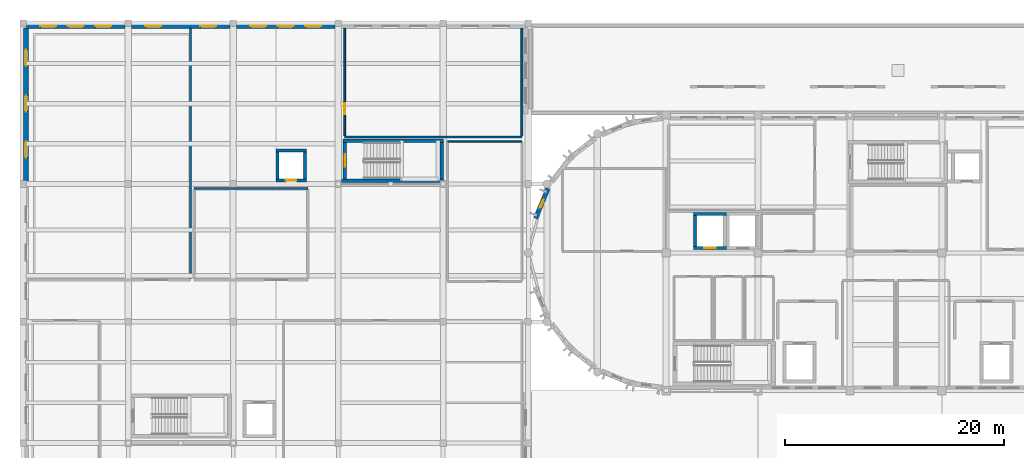
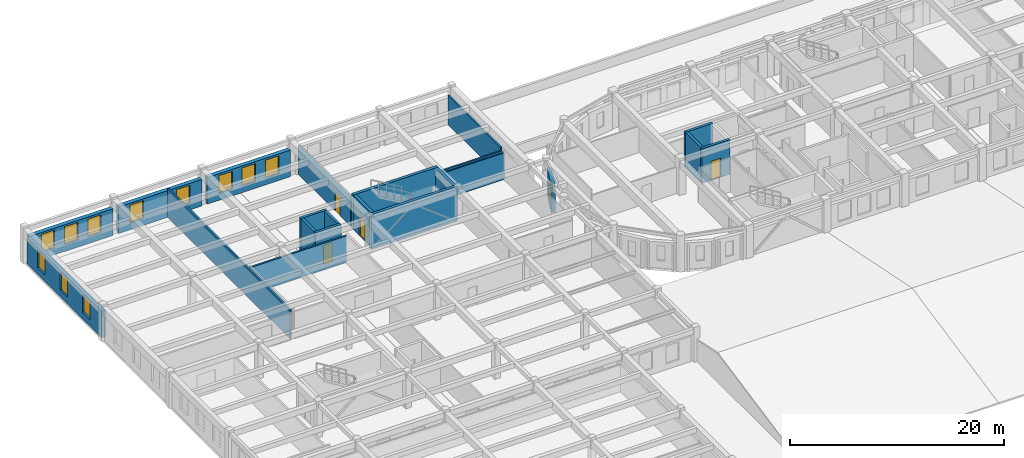
# One storey, part 20 of 46: 22 walls, 12 windows, 4 doors, 16 openings.
"""IFC4 building model written with IfcOpenShell, lengths in metres."""

from ifc_helpers import new_model, si_unit, direction, frame, frame_2d, origin, place, context, subcontext, project, spatial, rectangle, extrude, material, layer, layer_set, type_object, element, fill, save


model = new_model("IFC4")

# Units and contexts
model_context = context("Model", 3, precision=1e-05, world=origin(), true_north=direction((0.0, 1.0)))
body_context = subcontext(model_context, "Body", "Model", "MODEL_VIEW")
ifc_project = project(units=[si_unit("LENGTHUNIT", "METRE"), si_unit("AREAUNIT", "SQUARE_METRE"), si_unit("VOLUMEUNIT", "CUBIC_METRE"), si_unit("PLANEANGLEUNIT", "RADIAN"), si_unit("MASSUNIT", "GRAM", prefix="KILO")], contexts=[model_context])

# Site, building, storey
site_placement = place(None, origin())
site = spatial("IfcSite", under=ifc_project, at=site_placement, CompositionType="ELEMENT")
building_placement = place(site_placement, origin())
building = spatial("IfcBuilding", under=site, at=building_placement, Name="Tarnavel Promenade Courthouse", CompositionType="ELEMENT")
storey_placement = place(building_placement, frame((0.0, 0.0, 14.39990234375)))
storey = spatial("IfcBuildingStorey", under=building, at=storey_placement, Name="L04", CompositionType="ELEMENT", Elevation=14.39990234375)

# Wall
ifc_material_1 = material(Name="Acoustic Insulated Gypsum Stud Partition", Category="gypsum")
ifc_layer_1 = layer(ifc_material_1, 0.1650390625)
ifc_layer_set_1 = layer_set([ifc_layer_1], Name="Acoustic Insulated Gypsum Stud Partition")
wall_type_1 = type_object("IfcWallType", Name="Acoustic Insulated Gypsum Stud Partition WL-CHM-165 (165 mm)", PredefinedType="PARTITIONING", material=ifc_layer_set_1)
wall_1_placement = place(storey_placement, frame((45.60009765625, 102.39990234375, 0.0), z_axis=(0.0, 0.0, 1.0), x_axis=(-1.0, 0.0, 0.0)))
element("IfcWall", 1, at=wall_1_placement, inside=storey, type_object=wall_type_1, Name="L04 Jury Deliberation Suite Partition 0592", PredefinedType="PARTITIONING", context=body_context, shape_type="SweptSolid", body=[
    extrude(rectangle(XDim=16.2001953125, YDim=0.1650390625, at=frame_2d((8.10009765625, 0.0))), origin(), (0.0, 0.0, 1.0), 3.0400390625),
])

# Wall, opening, door
wall_2_placement = place(storey_placement, frame((29.39990234375, 102.492431640625, 0.0), z_axis=(0.0, 0.0, 1.0), x_axis=(0.0, 1.0, 0.0)))
wall_2 = element("IfcWall", 2, at=wall_2_placement, inside=storey, type_object=wall_type_1, Name="L04 Jury Deliberation Suite Partition 0593", PredefinedType="PARTITIONING", context=body_context, shape_type="SweptSolid", body=[
    extrude(rectangle(XDim=9.853515625, YDim=0.1650390625, at=frame_2d((4.9267578125, 0.0))), origin(), (0.0, 0.0, 1.0), 3.340087890625),
])
opening_1_placement = place(wall_2_placement, frame((1.980712890625, 0.0, 0.0)))
opening_1 = element("IfcOpeningElement", 3, at=opening_1_placement, cuts=wall_2, Name="Opening ID-03", PredefinedType="OPENING", context=body_context, shape_type="SweptSolid", body=[
    extrude(rectangle(XDim=1.0, YDim=2.14990234375, at=frame_2d((0.5, 1.074951171875))), frame((0.0, 0.092529296875, 0.0), z_axis=(0.0, -1.0, 0.0), x_axis=(1.0, 0.0, 0.0)), (0.0, 0.0, 1.0), 0.18505859375),
])
ifc_material_2 = material(Name="Acoustic Solid-Core Oak Jury Room Door")
door_type_1 = type_object("IfcDoorType", Name="Acoustic Solid-Core Oak Jury Room Door (DR-JRY-1000x2150)", OperationType="NOTDEFINED", PredefinedType="DOOR", material=ifc_material_2)
door_1_placement = place(opening_1_placement, origin())
door_1 = element("IfcDoor", 4, at=door_1_placement, inside=storey, type_object=door_type_1, Name="L04 Jury Deliberation Suite Door 0169", OperationType="SINGLE_SWING_RIGHT", OverallHeight=2.14990234375, OverallWidth=1.0, PredefinedType="DOOR", context=body_context, shape_type="SweptSolid", body=[
    extrude(rectangle(XDim=1.0, YDim=2.14990234375, at=frame_2d((0.5, 1.074951171875))), frame((0.0, 0.02490234375, 0.0), z_axis=(0.0, -1.0, 0.0), x_axis=(1.0, 0.0, 0.0)), (0.0, 0.0, 1.0), 0.050048828125),
])
fill(opening_1, door_1)

# Walls
wall_3_placement = place(storey_placement, frame((45.60009765625, 112.345947265625, 0.0), z_axis=(0.0, 0.0, 1.0), x_axis=(0.0, -1.0, 0.0)))
element("IfcWall", 5, at=wall_3_placement, inside=storey, type_object=wall_type_1, Name="L04 Jury Deliberation Suite Partition 0594", PredefinedType="PARTITIONING", context=body_context, shape_type="SweptSolid", body=[
    extrude(rectangle(XDim=9.853515625, YDim=0.1650390625, at=frame_2d((4.9267578125, 0.0))), origin(), (0.0, 0.0, 1.0), 3.340087890625),
])
ifc_material_3 = material(Name="Concrete C40/50", Category="concrete")
ifc_layer_2 = layer(ifc_material_3, 0.280029296875)
ifc_layer_set_2 = layer_set([ifc_layer_2], Name="Concrete C40/50")
wall_type_2 = type_object("IfcWallType", Name="Concrete C40/50 WL-SHR-280 (280 mm)", PredefinedType="SHEAR", material=ifc_layer_set_2)
wall_4_placement = place(storey_placement, frame((61.300048828125, 95.360107421875, 0.0), z_axis=(0.0, 0.0, 1.0), x_axis=(1.0, 0.0, 0.0)))
element("IfcWall", 6, at=wall_4_placement, inside=storey, type_object=wall_type_2, Name="L04 L-PUB1 Lift Shaft North Wall", PredefinedType="SHEAR", context=body_context, shape_type="SweptSolid", body=[
    extrude(rectangle(XDim=3.0, YDim=0.280029296875, at=frame_2d((1.5, 0.0))), origin(), (0.0, 0.0, 1.0), 3.960205078125),
])

# Wall, opening, door
wall_5_placement = place(storey_placement, frame((64.300048828125, 92.239990234375, 0.0), z_axis=(0.0, 0.0, 1.0), x_axis=(-1.0, 0.0, 0.0)))
wall_5 = element("IfcWall", 7, at=wall_5_placement, inside=storey, type_object=wall_type_2, Name="L04 L-PUB1 Lift Shaft South Wall", PredefinedType="SHEAR", context=body_context, shape_type="SweptSolid", body=[
    extrude(rectangle(XDim=3.0, YDim=0.280029296875, at=frame_2d((1.5, 0.0))), origin(), (0.0, 0.0, 1.0), 3.960205078125),
])
opening_2_placement = place(wall_5_placement, frame((0.97509765625, 0.0, 0.0)))
opening_2 = element("IfcOpeningElement", 8, at=opening_2_placement, cuts=wall_5, Name="Opening LD-02", PredefinedType="OPENING", context=body_context, shape_type="SweptSolid", body=[
    extrude(rectangle(XDim=1.050048828125, YDim=2.199951171875, at=frame_2d((0.52490234375, 1.10009765625))), frame((0.0, 0.14990234375, 0.0), z_axis=(0.0, -1.0, 0.0), x_axis=(1.0, 0.0, 0.0)), (0.0, 0.0, 1.0), 0.300048828125),
])
ifc_material_4 = material(Name="Brushed Bronze Passenger Lift Landing Sliding Door")
door_type_2 = type_object("IfcDoorType", Name="Brushed Bronze Passenger Lift Landing Sliding Door (LD-PUB-1050x2200)", OperationType="NOTDEFINED", PredefinedType="DOOR", material=ifc_material_4)
door_2_placement = place(opening_2_placement, origin())
door_2 = element("IfcDoor", 9, at=door_2_placement, inside=storey, type_object=door_type_2, Name="L04 L-PUB1 Lift Sliding Landing Door", OperationType="DOUBLE_DOOR_SLIDING", OverallHeight=2.199951171875, OverallWidth=1.050048828125, PredefinedType="DOOR", context=body_context, shape_type="SweptSolid", body=[
    extrude(rectangle(XDim=1.050048828125, YDim=2.199951171875, at=frame_2d((0.52490234375, 1.10009765625))), frame((0.0, 0.02490234375, 0.0), z_axis=(0.0, -1.0, 0.0), x_axis=(1.0, 0.0, 0.0)), (0.0, 0.0, 1.0), 0.050048828125),
])
fill(opening_2, door_2)

# Walls
wall_6_placement = place(storey_placement, frame((61.43994140625, 92.3798828125, 0.0), z_axis=(0.0, 0.0, 1.0), x_axis=(0.0, 1.0, 0.0)))
element("IfcWall", 10, at=wall_6_placement, inside=storey, type_object=wall_type_2, Name="L04 L-PUB1 Lift Shaft West Wall", PredefinedType="SHEAR", context=body_context, shape_type="SweptSolid", body=[
    extrude(rectangle(XDim=2.840087890625, YDim=0.280029296875, at=frame_2d((1.419921875, 0.0))), origin(), (0.0, 0.0, 1.0), 3.960205078125),
])
wall_7_placement = place(storey_placement, frame((23.10009765625, 101.159912109375, 0.0), z_axis=(0.0, 0.0, 1.0), x_axis=(1.0, 0.0, 0.0)))
element("IfcWall", 11, at=wall_7_placement, inside=storey, type_object=wall_type_2, Name="L04 L-JUD2 Lift Shaft North Wall", PredefinedType="SHEAR", context=body_context, shape_type="SweptSolid", body=[
    extrude(rectangle(XDim=2.7998046875, YDim=0.280029296875, at=frame_2d((1.39990234375, 0.0))), origin(), (0.0, 0.0, 1.0), 3.960205078125),
])

# Wall, opening, door
wall_8_placement = place(storey_placement, frame((25.89990234375, 98.43994140625, 0.0), z_axis=(0.0, 0.0, 1.0), x_axis=(-1.0, 0.0, 0.0)))
wall_8 = element("IfcWall", 12, at=wall_8_placement, inside=storey, type_object=wall_type_2, Name="L04 L-JUD2 Lift Shaft South Wall", PredefinedType="SHEAR", context=body_context, shape_type="SweptSolid", body=[
    extrude(rectangle(XDim=2.7998046875, YDim=0.280029296875, at=frame_2d((1.39990234375, 0.0))), origin(), (0.0, 0.0, 1.0), 3.960205078125),
])
opening_3_placement = place(wall_8_placement, frame((0.925048828125, 0.0, 0.0)))
opening_3 = element("IfcOpeningElement", 13, at=opening_3_placement, cuts=wall_8, Name="Opening LD-03", PredefinedType="OPENING", context=body_context, shape_type="SweptSolid", body=[
    extrude(rectangle(XDim=0.949951171875, YDim=2.14990234375, at=frame_2d((0.47509765625, 1.074951171875))), frame((0.0, 0.14990234375, 0.0), z_axis=(0.0, -1.0, 0.0), x_axis=(1.0, 0.0, 0.0)), (0.0, 0.0, 1.0), 0.300048828125),
])
ifc_material_5 = material(Name="Stainless Steel Judicial Lift Landing Sliding Door", Category="steel")
door_type_3 = type_object("IfcDoorType", Name="Stainless Steel Judicial Lift Landing Sliding Door (LD-JUD-0950x2150)", OperationType="NOTDEFINED", PredefinedType="DOOR", material=ifc_material_5)
door_3_placement = place(opening_3_placement, origin())
door_3 = element("IfcDoor", 14, at=door_3_placement, inside=storey, type_object=door_type_3, Name="L04 L-JUD2 Lift Sliding Landing Door", OperationType="DOUBLE_DOOR_SLIDING", OverallHeight=2.14990234375, OverallWidth=0.949951171875, PredefinedType="DOOR", context=body_context, shape_type="SweptSolid", body=[
    extrude(rectangle(XDim=0.949951171875, YDim=2.14990234375, at=frame_2d((0.47509765625, 1.074951171875))), frame((0.0, 0.02490234375, 0.0), z_axis=(0.0, -1.0, 0.0), x_axis=(1.0, 0.0, 0.0)), (0.0, 0.0, 1.0), 0.050048828125),
])
fill(opening_3, door_3)

# Walls
for number, where, z_axis, x_axis, name in (
    (15, (23.239990234375, 98.580078125, 0.0), (0.0, 0.0, 1.0), (0.0, 1.0, 0.0), "L04 L-JUD2 Lift Shaft West Wall"),
    (16, (25.760009765625, 101.02001953125, 0.0), (0.0, 0.0, 1.0), (0.0, -1.0, 0.0), "L04 L-JUD2 Lift Shaft East Wall"),
):
    element("IfcWall", number, at=place(storey_placement, frame(where, z_axis=z_axis, x_axis=x_axis)), inside=storey, type_object=wall_type_2, Name=name, PredefinedType="SHEAR", context=body_context, shape_type="SweptSolid", body=[
        extrude(rectangle(XDim=2.43994140625, YDim=0.280029296875, at=frame_2d((1.219970703125, 0.0))), origin(), (0.0, 0.0, 1.0), 3.960205078125),
    ])
ifc_layer_3 = layer(ifc_material_3, 0.320068359375)
ifc_layer_set_3 = layer_set([ifc_layer_3], Name="Concrete C40/50")
wall_type_3 = type_object("IfcWallType", Name="Concrete C40/50 WL-SHR-320 (320 mm)", PredefinedType="SHEAR", material=ifc_layer_set_3)
wall_9_placement = place(storey_placement, frame((29.260009765625, 102.06005859375, 0.0), z_axis=(0.0, 0.0, 1.0), x_axis=(1.0, 0.0, 0.0)))
element("IfcWall", 17, at=wall_9_placement, inside=storey, type_object=wall_type_3, Name="L04 ST-07 Shear Core North Wall", PredefinedType="SHEAR", context=body_context, shape_type="SweptSolid", body=[
    extrude(rectangle(XDim=9.179931640625, YDim=0.320068359375, at=frame_2d((4.58984375, 0.0))), origin(), (0.0, 0.0, 1.0), 3.960205078125),
])
wall_10_placement = place(storey_placement, frame((38.43994140625, 98.419921875, 0.0), z_axis=(0.0, 0.0, 1.0), x_axis=(-1.0, 0.0, 0.0)))
element("IfcWall", 18, at=wall_10_placement, inside=storey, type_object=wall_type_3, Name="L04 ST-07 Shear Core South Wall", PredefinedType="SHEAR", context=body_context, shape_type="SweptSolid", body=[
    extrude(rectangle(XDim=9.33984375, YDim=0.320068359375, at=frame_2d((4.669921875, 0.0))), origin(), (0.0, 0.0, 1.0), 3.960205078125),
])

# Wall, opening, door
wall_11_placement = place(storey_placement, frame((29.419921875, 98.580078125, 0.0), z_axis=(0.0, 0.0, 1.0), x_axis=(0.0, 1.0, 0.0)))
wall_11 = element("IfcWall", 19, at=wall_11_placement, inside=storey, type_object=wall_type_3, Name="L04 ST-07 Shear Core West Landing Wall", PredefinedType="SHEAR", context=body_context, shape_type="SweptSolid", body=[
    extrude(rectangle(XDim=3.31982421875, YDim=0.320068359375, at=frame_2d((1.659912109375, 0.0))), origin(), (0.0, 0.0, 1.0), 3.960205078125),
])
opening_4_placement = place(wall_11_placement, frame((1.0849609375, 0.0, 0.0)))
opening_4 = element("IfcOpeningElement", 20, at=opening_4_placement, cuts=wall_11, Name="Opening FD-01", PredefinedType="OPENING", context=body_context, shape_type="SweptSolid", body=[
    extrude(rectangle(XDim=1.14990234375, YDim=2.199951171875, at=frame_2d((0.574951171875, 1.10009765625))), frame((0.0, 0.169921875, 0.0), z_axis=(0.0, -1.0, 0.0), x_axis=(1.0, 0.0, 0.0)), (0.0, 0.0, 1.0), 0.340087890625),
])
ifc_material_6 = material(Name="Steel Fire-Rated Stair Core Door", Category="steel")
door_type_4 = type_object("IfcDoorType", Name="Steel Fire-Rated Stair Core Door (DR-ST-1150x2200)", OperationType="NOTDEFINED", PredefinedType="DOOR", material=ifc_material_6)
door_4_placement = place(opening_4_placement, origin())
door_4 = element("IfcDoor", 21, at=door_4_placement, inside=storey, type_object=door_type_4, Name="L04 ST-07 Protected Exit Stair Door", OperationType="SINGLE_SWING_LEFT", OverallHeight=2.199951171875, OverallWidth=1.14990234375, PredefinedType="DOOR", context=body_context, shape_type="SweptSolid", body=[
    extrude(rectangle(XDim=1.14990234375, YDim=2.199951171875, at=frame_2d((0.574951171875, 1.10009765625))), frame((0.0, 0.02490234375, 0.0), z_axis=(0.0, -1.0, 0.0), x_axis=(1.0, 0.0, 0.0)), (0.0, 0.0, 1.0), 0.050048828125),
])
fill(opening_4, door_4)

# Walls
wall_12_placement = place(storey_placement, frame((38.280029296875, 101.89990234375, 0.0), z_axis=(0.0, 0.0, 1.0), x_axis=(0.0, -1.0, 0.0)))
element("IfcWall", 22, at=wall_12_placement, inside=storey, type_object=wall_type_3, Name="L04 ST-07 Shear Core East Wall", PredefinedType="SHEAR", context=body_context, shape_type="SweptSolid", body=[
    extrude(rectangle(XDim=3.31982421875, YDim=0.320068359375, at=frame_2d((1.659912109375, 0.0))), origin(), (0.0, 0.0, 1.0), 3.960205078125),
])
ifc_material_7 = material(Name="Double-Stud Acoustic Courtroom Partition Assembly", Category="gypsum")
ifc_layer_4 = layer(ifc_material_7, 0.18505859375)
ifc_layer_set_4 = layer_set([ifc_layer_4], Name="Double-Stud Acoustic Courtroom Partition Assembly")
wall_type_4 = type_object("IfcWallType", Name="Double-Stud Acoustic Courtroom Partition Assembly WL-CRT-185 (185 mm)", PredefinedType="PARTITIONING", material=ifc_layer_set_4)
wall_13_placement = place(storey_placement, frame((15.31396484375, 112.345947265625, 0.0), z_axis=(0.0, 0.0, 1.0), x_axis=(0.0, -1.0, 0.0)))
element("IfcWall", 23, at=wall_13_placement, inside=storey, type_object=wall_type_4, Name="L04 Administrative Law Courtroom A Partition 0587", PredefinedType="PARTITIONING", context=body_context, shape_type="SweptSolid", body=[
    extrude(rectangle(XDim=22.903564453125, YDim=0.18505859375, at=frame_2d((11.45166015625, 0.0))), origin(), (0.0, 0.0, 1.0), 3.2900390625),
])
wall_14_placement = place(storey_placement, frame((15.593994140625, 97.699951171875, 0.0), z_axis=(0.0, 0.0, 1.0), x_axis=(1.0, 0.0, 0.0)))
element("IfcWall", 24, at=wall_14_placement, inside=storey, type_object=wall_type_4, Name="L04 Administrative Law Courtroom B Partition 0588", PredefinedType="PARTITIONING", context=body_context, shape_type="SweptSolid", body=[
    extrude(rectangle(XDim=10.466064453125, YDim=0.18505859375, at=frame_2d((5.23291015625, 0.0))), origin(), (0.0, 0.0, 1.0), 3.0400390625),
])

# Wall, openings, windows
ifc_material_8 = material(Name="Limestone Ashlar Faced Insulated Brick Masonry", Category="masonry")
ifc_layer_5 = layer(ifc_material_8, 0.43994140625)
ifc_layer_set_5 = layer_set([ifc_layer_5], Name="Limestone Ashlar Faced Insulated Brick Masonry")
wall_type_5 = type_object("IfcWallType", Name="Limestone Ashlar Faced Insulated Brick Masonry WL-EXT-440 (440 mm)", PredefinedType="STANDARD", material=ifc_layer_set_5)
wall_15_placement = place(storey_placement, frame((0.2919921875, 112.56005859375, 0.0), z_axis=(0.0, 0.0, 1.0), x_axis=(1.0, 0.0, 0.0)))
wall_15 = element("IfcWall", 25, at=wall_15_placement, inside=storey, type_object=wall_type_5, Name="L04 Trial Wing North Ashlar Facade 0299", PredefinedType="STANDARD", context=body_context, shape_type="SweptSolid", body=[
    extrude(rectangle(XDim=9.01611328125, YDim=0.43994140625, at=frame_2d((4.508056640625, 0.0))), origin(), (0.0, 0.0, 1.0), 3.0400390625),
])
opening_5_placement = place(wall_15_placement, frame((1.269775390625, 0.0, 0.77001953125)))
opening_5 = element("IfcOpeningElement", 26, at=opening_5_placement, cuts=wall_15, Name="Opening W-03", PredefinedType="OPENING", context=body_context, shape_type="SweptSolid", body=[
    extrude(rectangle(XDim=1.449951171875, YDim=2.050048828125, at=frame_2d((0.72509765625, 1.02490234375))), frame((0.0, 0.22998046875, 0.0), z_axis=(0.0, -1.0, 0.0), x_axis=(1.0, 0.0, 0.0)), (0.0, 0.0, 1.0), 0.4599609375),
])
opening_6_placement = place(wall_15_placement, frame((3.782958984375, 0.0, 0.77001953125)))
opening_6 = element("IfcOpeningElement", 27, at=opening_6_placement, cuts=wall_15, Name="Opening W-03", PredefinedType="OPENING", context=body_context, shape_type="SweptSolid", body=[
    extrude(rectangle(XDim=1.449951171875, YDim=2.050048828125, at=frame_2d((0.72509765625, 1.02490234375))), frame((0.0, 0.22998046875, 0.0), z_axis=(0.0, -1.0, 0.0), x_axis=(1.0, 0.0, 0.0)), (0.0, 0.0, 1.0), 0.4599609375),
])
opening_7_placement = place(wall_15_placement, frame((6.29638671875, 0.0, 0.77001953125)))
opening_7 = element("IfcOpeningElement", 28, at=opening_7_placement, cuts=wall_15, Name="Opening W-03", PredefinedType="OPENING", context=body_context, shape_type="SweptSolid", body=[
    extrude(rectangle(XDim=1.449951171875, YDim=2.050048828125, at=frame_2d((0.72509765625, 1.02490234375))), frame((0.0, 0.22998046875, 0.0), z_axis=(0.0, -1.0, 0.0), x_axis=(1.0, 0.0, 0.0)), (0.0, 0.0, 1.0), 0.4599609375),
])
ifc_material_9 = material(Name="Triple Low-E Glazed Bronze-Clad Window Assembly")
window_type_1 = type_object("IfcWindowType", Name="Triple-Glazed Bronze-Clad Timber-Aluminium WIN-APP-1450x2050", PartitioningType="SINGLE_PANEL", PredefinedType="WINDOW", material=ifc_material_9)
window_1_placement = place(opening_5_placement, origin())
window_1 = element("IfcWindow", 29, at=window_1_placement, inside=storey, type_object=window_type_1, Name="L04 Exterior Window 0297", OverallHeight=2.050048828125, OverallWidth=1.449951171875, PartitioningType="SINGLE_PANEL", PredefinedType="WINDOW", context=body_context, shape_type="SweptSolid", body=[
    extrude(rectangle(XDim=1.449951171875, YDim=2.050048828125, at=frame_2d((0.72509765625, 1.02490234375))), frame((0.0, 0.030029296875, 0.0), z_axis=(0.0, -1.0, 0.0), x_axis=(1.0, 0.0, 0.0)), (0.0, 0.0, 1.0), 0.06005859375),
])
fill(opening_5, window_1)
window_2_placement = place(opening_6_placement, origin())
window_2 = element("IfcWindow", 30, at=window_2_placement, inside=storey, type_object=window_type_1, Name="L04 Exterior Window 0298", OverallHeight=2.050048828125, OverallWidth=1.449951171875, PartitioningType="SINGLE_PANEL", PredefinedType="WINDOW", context=body_context, shape_type="SweptSolid", body=[
    extrude(rectangle(XDim=1.449951171875, YDim=2.050048828125, at=frame_2d((0.72509765625, 1.02490234375))), frame((0.0, 0.030029296875, 0.0), z_axis=(0.0, -1.0, 0.0), x_axis=(1.0, 0.0, 0.0)), (0.0, 0.0, 1.0), 0.06005859375),
])
fill(opening_6, window_2)
window_3_placement = place(opening_7_placement, origin())
window_3 = element("IfcWindow", 31, at=window_3_placement, inside=storey, type_object=window_type_1, Name="L04 Exterior Window 0299", OverallHeight=2.050048828125, OverallWidth=1.449951171875, PartitioningType="SINGLE_PANEL", PredefinedType="WINDOW", context=body_context, shape_type="SweptSolid", body=[
    extrude(rectangle(XDim=1.449951171875, YDim=2.050048828125, at=frame_2d((0.72509765625, 1.02490234375))), frame((0.0, 0.030029296875, 0.0), z_axis=(0.0, -1.0, 0.0), x_axis=(1.0, 0.0, 0.0)), (0.0, 0.0, 1.0), 0.06005859375),
])
fill(opening_7, window_3)

wall_16_placement = place(storey_placement, frame((9.89208984375, 112.56005859375, 0.0), z_axis=(0.0, 0.0, 1.0), x_axis=(1.0, 0.0, 0.0)))
wall_16 = element("IfcWall", 32, at=wall_16_placement, inside=storey, type_object=wall_type_5, Name="L04 Trial Wing North Ashlar Facade 0300", PredefinedType="STANDARD", context=body_context, shape_type="SweptSolid", body=[
    extrude(rectangle(XDim=9.015869140625, YDim=0.43994140625, at=frame_2d((4.5078125, 0.0))), origin(), (0.0, 0.0, 1.0), 3.0400390625),
])
opening_8_placement = place(wall_16_placement, frame((1.269775390625, 0.0, 0.77001953125)))
opening_8 = element("IfcOpeningElement", 33, at=opening_8_placement, cuts=wall_16, Name="Opening W-03", PredefinedType="OPENING", context=body_context, shape_type="SweptSolid", body=[
    extrude(rectangle(XDim=1.449951171875, YDim=2.050048828125, at=frame_2d((0.72509765625, 1.02490234375))), frame((0.0, 0.22998046875, 0.0), z_axis=(0.0, -1.0, 0.0), x_axis=(1.0, 0.0, 0.0)), (0.0, 0.0, 1.0), 0.4599609375),
])
opening_9_placement = place(wall_16_placement, frame((6.29638671875, 0.0, 0.77001953125)))
opening_9 = element("IfcOpeningElement", 34, at=opening_9_placement, cuts=wall_16, Name="Opening W-03", PredefinedType="OPENING", context=body_context, shape_type="SweptSolid", body=[
    extrude(rectangle(XDim=1.449951171875, YDim=2.050048828125, at=frame_2d((0.72509765625, 1.02490234375))), frame((0.0, 0.22998046875, 0.0), z_axis=(0.0, -1.0, 0.0), x_axis=(1.0, 0.0, 0.0)), (0.0, 0.0, 1.0), 0.4599609375),
])
window_4_placement = place(opening_8_placement, origin())
window_4 = element("IfcWindow", 35, at=window_4_placement, inside=storey, type_object=window_type_1, Name="L04 Exterior Window 0300", OverallHeight=2.050048828125, OverallWidth=1.449951171875, PartitioningType="SINGLE_PANEL", PredefinedType="WINDOW", context=body_context, shape_type="SweptSolid", body=[
    extrude(rectangle(XDim=1.449951171875, YDim=2.050048828125, at=frame_2d((0.72509765625, 1.02490234375))), frame((0.0, 0.030029296875, 0.0), z_axis=(0.0, -1.0, 0.0), x_axis=(1.0, 0.0, 0.0)), (0.0, 0.0, 1.0), 0.06005859375),
])
fill(opening_8, window_4)
window_5_placement = place(opening_9_placement, origin())
window_5 = element("IfcWindow", 36, at=window_5_placement, inside=storey, type_object=window_type_1, Name="L04 Exterior Window 0301", OverallHeight=2.050048828125, OverallWidth=1.449951171875, PartitioningType="SINGLE_PANEL", PredefinedType="WINDOW", context=body_context, shape_type="SweptSolid", body=[
    extrude(rectangle(XDim=1.449951171875, YDim=2.050048828125, at=frame_2d((0.72509765625, 1.02490234375))), frame((0.0, 0.030029296875, 0.0), z_axis=(0.0, -1.0, 0.0), x_axis=(1.0, 0.0, 0.0)), (0.0, 0.0, 1.0), 0.06005859375),
])
fill(opening_9, window_5)

wall_17_placement = place(storey_placement, frame((19.491943359375, 112.56005859375, 0.0), z_axis=(0.0, 0.0, 1.0), x_axis=(1.0, 0.0, 0.0)))
wall_17 = element("IfcWall", 37, at=wall_17_placement, inside=storey, type_object=wall_type_5, Name="L04 Trial Wing North Ashlar Facade 0301", PredefinedType="STANDARD", context=body_context, shape_type="SweptSolid", body=[
    extrude(rectangle(XDim=9.01611328125, YDim=0.43994140625, at=frame_2d((4.508056640625, 0.0))), origin(), (0.0, 0.0, 1.0), 3.0400390625),
])
opening_10_placement = place(wall_17_placement, frame((1.269775390625, 0.0, 0.77001953125)))
opening_10 = element("IfcOpeningElement", 38, at=opening_10_placement, cuts=wall_17, Name="Opening W-03", PredefinedType="OPENING", context=body_context, shape_type="SweptSolid", body=[
    extrude(rectangle(XDim=1.449951171875, YDim=2.050048828125, at=frame_2d((0.72509765625, 1.02490234375))), frame((0.0, 0.22998046875, 0.0), z_axis=(0.0, -1.0, 0.0), x_axis=(1.0, 0.0, 0.0)), (0.0, 0.0, 1.0), 0.4599609375),
])
opening_11_placement = place(wall_17_placement, frame((3.782958984375, 0.0, 0.77001953125)))
opening_11 = element("IfcOpeningElement", 39, at=opening_11_placement, cuts=wall_17, Name="Opening W-03", PredefinedType="OPENING", context=body_context, shape_type="SweptSolid", body=[
    extrude(rectangle(XDim=1.449951171875, YDim=2.050048828125, at=frame_2d((0.72509765625, 1.02490234375))), frame((0.0, 0.22998046875, 0.0), z_axis=(0.0, -1.0, 0.0), x_axis=(1.0, 0.0, 0.0)), (0.0, 0.0, 1.0), 0.4599609375),
])
opening_12_placement = place(wall_17_placement, frame((6.29638671875, 0.0, 0.77001953125)))
opening_12 = element("IfcOpeningElement", 40, at=opening_12_placement, cuts=wall_17, Name="Opening W-03", PredefinedType="OPENING", context=body_context, shape_type="SweptSolid", body=[
    extrude(rectangle(XDim=1.449951171875, YDim=2.050048828125, at=frame_2d((0.72509765625, 1.02490234375))), frame((0.0, 0.22998046875, 0.0), z_axis=(0.0, -1.0, 0.0), x_axis=(1.0, 0.0, 0.0)), (0.0, 0.0, 1.0), 0.4599609375),
])
window_6_placement = place(opening_10_placement, origin())
window_6 = element("IfcWindow", 41, at=window_6_placement, inside=storey, type_object=window_type_1, Name="L04 Exterior Window 0302", OverallHeight=2.050048828125, OverallWidth=1.449951171875, PartitioningType="SINGLE_PANEL", PredefinedType="WINDOW", context=body_context, shape_type="SweptSolid", body=[
    extrude(rectangle(XDim=1.449951171875, YDim=2.050048828125, at=frame_2d((0.72509765625, 1.02490234375))), frame((0.0, 0.030029296875, 0.0), z_axis=(0.0, -1.0, 0.0), x_axis=(1.0, 0.0, 0.0)), (0.0, 0.0, 1.0), 0.06005859375),
])
fill(opening_10, window_6)
window_7_placement = place(opening_11_placement, origin())
window_7 = element("IfcWindow", 42, at=window_7_placement, inside=storey, type_object=window_type_1, Name="L04 Exterior Window 0303", OverallHeight=2.050048828125, OverallWidth=1.449951171875, PartitioningType="SINGLE_PANEL", PredefinedType="WINDOW", context=body_context, shape_type="SweptSolid", body=[
    extrude(rectangle(XDim=1.449951171875, YDim=2.050048828125, at=frame_2d((0.72509765625, 1.02490234375))), frame((0.0, 0.030029296875, 0.0), z_axis=(0.0, -1.0, 0.0), x_axis=(1.0, 0.0, 0.0)), (0.0, 0.0, 1.0), 0.06005859375),
])
fill(opening_11, window_7)
window_8_placement = place(opening_12_placement, origin())
window_8 = element("IfcWindow", 43, at=window_8_placement, inside=storey, type_object=window_type_1, Name="L04 Exterior Window 0304", OverallHeight=2.050048828125, OverallWidth=1.449951171875, PartitioningType="SINGLE_PANEL", PredefinedType="WINDOW", context=body_context, shape_type="SweptSolid", body=[
    extrude(rectangle(XDim=1.449951171875, YDim=2.050048828125, at=frame_2d((0.72509765625, 1.02490234375))), frame((0.0, 0.030029296875, 0.0), z_axis=(0.0, -1.0, 0.0), x_axis=(1.0, 0.0, 0.0)), (0.0, 0.0, 1.0), 0.06005859375),
])
fill(opening_12, window_8)

wall_18_placement = place(storey_placement, frame((0.239990234375, 98.39208984375, 0.0), z_axis=(0.0, 0.0, 1.0), x_axis=(0.0, 1.0, 0.0)))
wall_18 = element("IfcWall", 44, at=wall_18_placement, inside=storey, type_object=wall_type_5, Name="L04 Trial Wing West Ashlar Facade 0307", PredefinedType="STANDARD", context=body_context, shape_type="SweptSolid", body=[
    extrude(rectangle(XDim=13.955810546875, YDim=0.43994140625, at=frame_2d((6.97802734375, 0.0))), origin(), (0.0, 0.0, 1.0), 3.0400390625),
])
opening_13_placement = place(wall_18_placement, frame((2.11962890625, 0.0, 0.77001953125)))
opening_13 = element("IfcOpeningElement", 45, at=opening_13_placement, cuts=wall_18, Name="Opening W-03", PredefinedType="OPENING", context=body_context, shape_type="SweptSolid", body=[
    extrude(rectangle(XDim=1.449951171875, YDim=2.050048828125, at=frame_2d((0.72509765625, 1.02490234375))), frame((0.0, 0.22998046875, 0.0), z_axis=(0.0, -1.0, 0.0), x_axis=(1.0, 0.0, 0.0)), (0.0, 0.0, 1.0), 0.4599609375),
])
opening_14_placement = place(wall_18_placement, frame((6.3330078125, 0.0, 0.77001953125)))
opening_14 = element("IfcOpeningElement", 46, at=opening_14_placement, cuts=wall_18, Name="Opening W-03", PredefinedType="OPENING", context=body_context, shape_type="SweptSolid", body=[
    extrude(rectangle(XDim=1.449951171875, YDim=2.050048828125, at=frame_2d((0.72509765625, 1.02490234375))), frame((0.0, 0.22998046875, 0.0), z_axis=(0.0, -1.0, 0.0), x_axis=(1.0, 0.0, 0.0)), (0.0, 0.0, 1.0), 0.4599609375),
])
opening_15_placement = place(wall_18_placement, frame((10.54638671875, 0.0, 0.77001953125)))
opening_15 = element("IfcOpeningElement", 47, at=opening_15_placement, cuts=wall_18, Name="Opening W-03", PredefinedType="OPENING", context=body_context, shape_type="SweptSolid", body=[
    extrude(rectangle(XDim=1.449951171875, YDim=2.050048828125, at=frame_2d((0.72509765625, 1.02490234375))), frame((0.0, 0.22998046875, 0.0), z_axis=(0.0, -1.0, 0.0), x_axis=(1.0, 0.0, 0.0)), (0.0, 0.0, 1.0), 0.4599609375),
])
window_9_placement = place(opening_13_placement, origin())
window_9 = element("IfcWindow", 48, at=window_9_placement, inside=storey, type_object=window_type_1, Name="L04 Exterior Window 0318", OverallHeight=2.050048828125, OverallWidth=1.449951171875, PartitioningType="SINGLE_PANEL", PredefinedType="WINDOW", context=body_context, shape_type="SweptSolid", body=[
    extrude(rectangle(XDim=1.449951171875, YDim=2.050048828125, at=frame_2d((0.72509765625, 1.02490234375))), frame((0.0, 0.030029296875, 0.0), z_axis=(0.0, -1.0, 0.0), x_axis=(1.0, 0.0, 0.0)), (0.0, 0.0, 1.0), 0.06005859375),
])
fill(opening_13, window_9)
window_10_placement = place(opening_14_placement, origin())
window_10 = element("IfcWindow", 49, at=window_10_placement, inside=storey, type_object=window_type_1, Name="L04 Exterior Window 0319", OverallHeight=2.050048828125, OverallWidth=1.449951171875, PartitioningType="SINGLE_PANEL", PredefinedType="WINDOW", context=body_context, shape_type="SweptSolid", body=[
    extrude(rectangle(XDim=1.449951171875, YDim=2.050048828125, at=frame_2d((0.72509765625, 1.02490234375))), frame((0.0, 0.030029296875, 0.0), z_axis=(0.0, -1.0, 0.0), x_axis=(1.0, 0.0, 0.0)), (0.0, 0.0, 1.0), 0.06005859375),
])
fill(opening_14, window_10)
window_11_placement = place(opening_15_placement, origin())
window_11 = element("IfcWindow", 50, at=window_11_placement, inside=storey, type_object=window_type_1, Name="L04 Exterior Window 0320", OverallHeight=2.050048828125, OverallWidth=1.449951171875, PartitioningType="SINGLE_PANEL", PredefinedType="WINDOW", context=body_context, shape_type="SweptSolid", body=[
    extrude(rectangle(XDim=1.449951171875, YDim=2.050048828125, at=frame_2d((0.72509765625, 1.02490234375))), frame((0.0, 0.030029296875, 0.0), z_axis=(0.0, -1.0, 0.0), x_axis=(1.0, 0.0, 0.0)), (0.0, 0.0, 1.0), 0.06005859375),
])
fill(opening_15, window_11)

# Wall
ifc_material_10 = material(Name="Metal-Stud Acoustic Gypsum Partition", Category="gypsum")
ifc_layer_6 = layer(ifc_material_10, 0.135009765625)
ifc_layer_set_6 = layer_set([ifc_layer_6], Name="Metal-Stud Acoustic Gypsum Partition")
wall_type_6 = type_object("IfcWallType", Name="Metal-Stud Acoustic Gypsum Partition WL-OFF-135 (135 mm)", PredefinedType="PARTITIONING", material=ifc_layer_set_6)
wall_19_placement = place(storey_placement, frame((38.800048828125, 102.0, 0.0), z_axis=(0.0, 0.0, 1.0), x_axis=(1.0, 0.0, 0.0)))
element("IfcWall", 51, at=wall_19_placement, inside=storey, type_object=wall_type_6, Name="L04 L04 Witness Waiting Room Partition 0595", PredefinedType="PARTITIONING", context=body_context, shape_type="SweptSolid", body=[
    extrude(rectangle(XDim=6.800048828125, YDim=0.135009765625, at=frame_2d((3.39990234375, 0.0))), origin(), (0.0, 0.0, 1.0), 3.0400390625),
])

# Wall, opening, window
ifc_material_11 = material(Name="Patinated Copper-Bronze Insulated Drum Wall Assembly", Category="masonry")
ifc_layer_7 = layer(ifc_material_11, 0.39501953125)
ifc_layer_set_7 = layer_set([ifc_layer_7], Name="Patinated Copper-Bronze Insulated Drum Wall Assembly")
wall_type_7 = type_object("IfcWallType", Name="Patinated Copper-Bronze Insulated Drum Wall Assembly WL-DRUM-395 (395 mm)", PredefinedType="ELEMENTEDWALL", material=ifc_layer_set_7)
wall_20_placement = place(storey_placement, frame((47.988037109375, 97.688232421875, 0.0), z_axis=(0.0, 0.0, 1.0), x_axis=(-0.382661536235, -0.923888601881, 0.0)))
wall_20 = element("IfcWall", 52, at=wall_20_placement, inside=storey, type_object=wall_type_7, Name="L04 W Copper Drum Chord Wall 05 0088", PredefinedType="ELEMENTEDWALL", context=body_context, shape_type="SweptSolid", body=[
    extrude(rectangle(XDim=2.947021484375, YDim=0.39501953125, at=frame_2d((1.4736328125, 0.0))), origin(), (0.0, 0.0, 1.0), 3.090087890625),
])
opening_16_placement = place(wall_20_placement, frame((1.110107421875, 0.0, 0.85009765625)))
opening_16 = element("IfcOpeningElement", 53, at=opening_16_placement, cuts=wall_20, Name="Opening W-09", PredefinedType="OPENING", context=body_context, shape_type="SweptSolid", body=[
    extrude(rectangle(XDim=0.800048828125, YDim=1.699951171875, at=frame_2d((0.39990234375, 0.85009765625))), frame((0.0, 0.20751953125, 0.0), z_axis=(0.0, -1.0, 0.0), x_axis=(1.0, 0.0, 0.0)), (0.0, 0.0, 1.0), 0.4150390625),
])
window_type_2 = type_object("IfcWindowType", Name="Triple-Glazed Bronze-Clad Timber-Aluminium WIN-DRM-0800x1700", PartitioningType="SINGLE_PANEL", PredefinedType="WINDOW", material=ifc_material_9)
window_12_placement = place(opening_16_placement, origin())
window_12 = element("IfcWindow", 54, at=window_12_placement, inside=storey, type_object=window_type_2, Name="L04 Exterior Window 0068", OverallHeight=1.699951171875, OverallWidth=0.800048828125, PartitioningType="SINGLE_PANEL", PredefinedType="WINDOW", context=body_context, shape_type="SweptSolid", body=[
    extrude(rectangle(XDim=0.800048828125, YDim=1.699951171875, at=frame_2d((0.39990234375, 0.85009765625))), frame((0.0, 0.030029296875, 0.0), z_axis=(0.0, -1.0, 0.0), x_axis=(1.0, 0.0, 0.0)), (0.0, 0.0, 1.0), 0.06005859375),
])
fill(opening_16, window_12)

save(model, "model.ifc")
